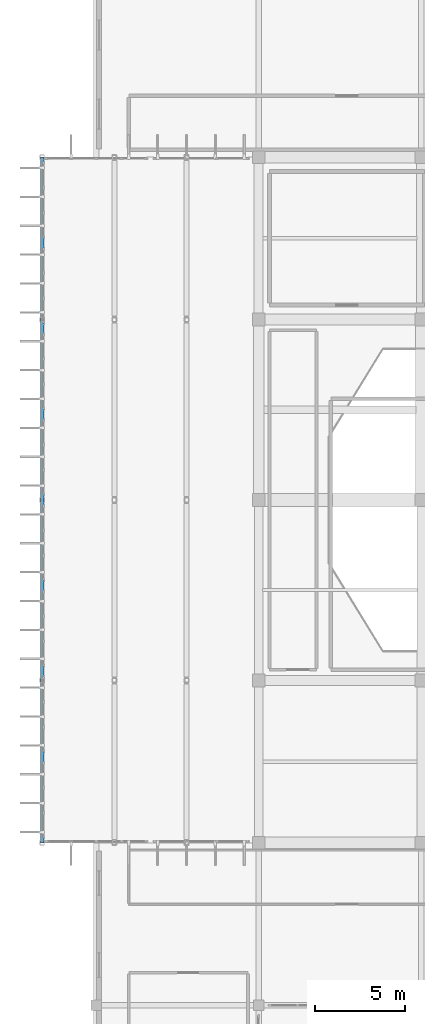
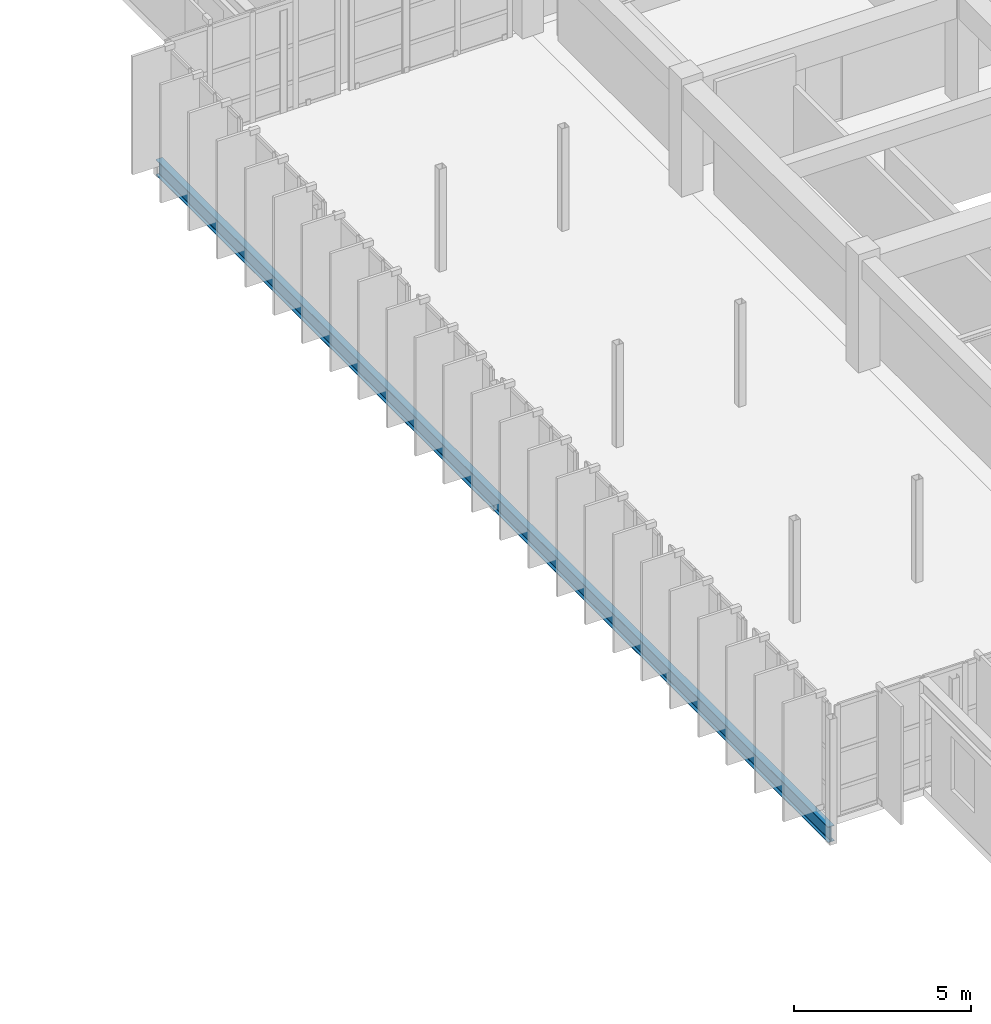
# One storey, part 31 of 110: 1 beam.
"""IFC4 building model written with IfcOpenShell, lengths in metres."""

from ifc_helpers import new_model, si_unit, direction, frame, origin, origin_2d, place, context, subcontext, project, spatial, i_section, extrude, material, material_profile, profile_set, type_object, element, save


model = new_model("IFC4")

# Units and contexts
model_context = context("Model", 3, precision=1e-05, world=origin(), true_north=direction((0.0, 1.0)))
body_context = subcontext(model_context, "Body", "Model", "MODEL_VIEW")
ifc_project = project(units=[si_unit("LENGTHUNIT", "METRE"), si_unit("AREAUNIT", "SQUARE_METRE"), si_unit("VOLUMEUNIT", "CUBIC_METRE"), si_unit("PLANEANGLEUNIT", "RADIAN"), si_unit("MASSUNIT", "GRAM", prefix="KILO")], contexts=[model_context])

# Site, building, storey
site_placement = place(None, origin())
site = spatial("IfcSite", under=ifc_project, at=site_placement, CompositionType="ELEMENT")
building_placement = place(site_placement, origin())
building = spatial("IfcBuilding", under=site, at=building_placement, Name="Miravela Opera House", CompositionType="ELEMENT")
storey_placement = place(building_placement, frame((0.0, 0.0, 13.60009765625)))
storey = spatial("IfcBuildingStorey", under=building, at=storey_placement, Name="L03", CompositionType="ELEMENT", Elevation=13.60009765625)

# Beam
ifc_material = material(Name="Structural steel ASTM A992 Gr. 50", Category="steel")
ifc_material_profile = material_profile(ifc_material, i_section(OverallWidth=0.2109375, OverallDepth=0.5390625, WebThickness=0.01171875, FlangeThickness=0.018798828125, FilletRadius=0.01611328125, at=origin_2d()), Name="W530X109")
ifc_profile_set = profile_set([ifc_material_profile])
beam_type = type_object("IfcBeamType", Name="STR-BM-W530X109", PredefinedType="SPANDREL", material=ifc_profile_set)
beam_placement = place(storey_placement, frame((15.0, 37.0, -0.509521484375), z_axis=(0.0, 1.0, 0.0), x_axis=(-1.0, 0.0, 0.0)))
element("IfcBeam", 1, at=beam_placement, inside=storey, type_object=beam_type, Name="Cantilever Overhang Fascia Spandrel L03 X=15", PredefinedType="SPANDREL", context=body_context, shape_type="SweptSolid", body=[
    extrude(i_section(OverallWidth=0.2109375, OverallDepth=0.5390625, WebThickness=0.01171875, FlangeThickness=0.018798828125, FilletRadius=0.01611328125, at=origin_2d()), origin(), (0.0, 0.0, 1.0), 38.0),
])

save(model, "model.ifc")
